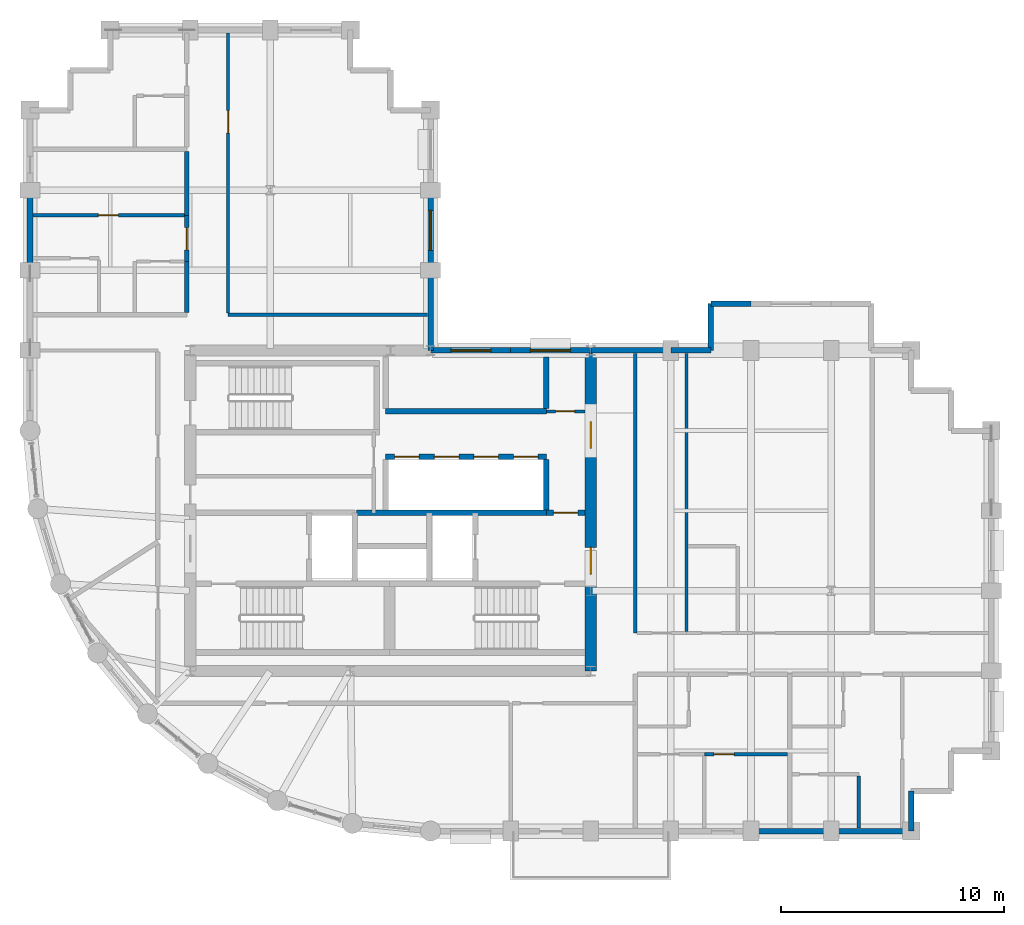
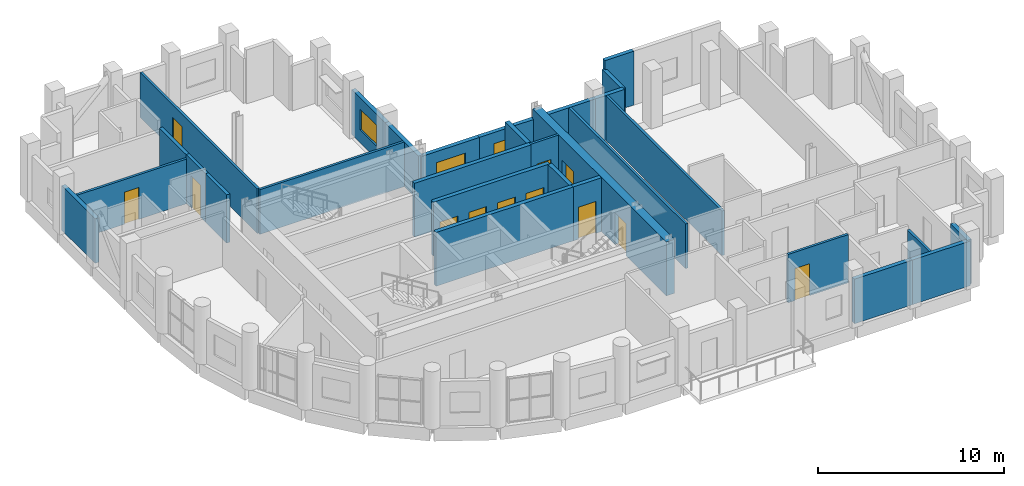
# One storey, part 8 of 12: 30 walls, 12 doors, 3 windows, 15 openings.
"""IFC4 building model written with IfcOpenShell, lengths in metres."""

from ifc_helpers import new_model, si_unit, direction, frame, frame_2d, origin, place, context, subcontext, project, spatial, rectangle, extrude, material, layer, layer_set, type_object, element, fill, save


model = new_model("IFC4")

# Units and contexts
model_context = context("Model", 3, precision=1e-05, world=origin(), true_north=direction((0.0, 1.0)))
body_context = subcontext(model_context, "Body", "Model", "MODEL_VIEW")
ifc_project = project(units=[si_unit("LENGTHUNIT", "METRE"), si_unit("AREAUNIT", "SQUARE_METRE"), si_unit("VOLUMEUNIT", "CUBIC_METRE"), si_unit("PLANEANGLEUNIT", "RADIAN"), si_unit("MASSUNIT", "GRAM", prefix="KILO")], contexts=[model_context])

# Site, building, storey
site_placement = place(None, origin())
site = spatial("IfcSite", under=ifc_project, at=site_placement, CompositionType="ELEMENT")
building_placement = place(site_placement, origin())
building = spatial("IfcBuilding", under=site, at=building_placement, Name="Solnavia Interchange Tower", CompositionType="ELEMENT")
storey_placement = place(building_placement, frame((0.0, 0.0, 182.39990234375)))
storey = spatial("IfcBuildingStorey", under=building, at=storey_placement, Name="L45", CompositionType="ELEMENT", Elevation=182.39990234375)

# Wall
ifc_material_1 = material(Name="Gypsum Acoustic Twin-Stud & Mineral Wool", Category="gypsum")
ifc_layer_1 = layer(ifc_material_1, 0.199951171875)
ifc_layer_set_1 = layer_set([ifc_layer_1], Name="Gypsum Acoustic Twin-Stud & Mineral Wool")
wall_type_1 = type_object("IfcWallType", Name="Wall-ApartmentParty-200", PredefinedType="PARTITIONING", material=ifc_layer_set_1)
wall_1_placement = place(storey_placement, frame((14.25, 26.904052734375, 0.0), z_axis=(0.0, 0.0, 1.0), x_axis=(0.0, 1.0, 0.0)))
element("IfcWall", 1, at=wall_1_placement, inside=storey, type_object=wall_type_1, Name="PTW-L45-37 Interior partition wall", PredefinedType="PARTITIONING", context=body_context, shape_type="SweptSolid", body=[
    extrude(rectangle(XDim=2.2958984375, YDim=0.199951171875, at=frame_2d((1.14794921875, 0.0))), origin(), (0.0, 0.0, 1.0), 3.170166015625),
])

# Wall, opening, door
wall_2_placement = place(storey_placement, frame((14.25, 29.199951171875, 0.0), z_axis=(0.0, 0.0, 1.0), x_axis=(0.0, 1.0, 0.0)))
wall_2 = element("IfcWall", 2, at=wall_2_placement, inside=storey, type_object=wall_type_1, Name="PTW-L45-40 Interior partition wall", PredefinedType="PARTITIONING", context=body_context, shape_type="SweptSolid", body=[
    extrude(rectangle(XDim=2.070068359375, YDim=0.199951171875, at=frame_2d((1.03515625, 0.0))), origin(), (0.0, 0.0, 1.0), 3.170166015625),
])
opening_1_placement = place(wall_2_placement, frame((0.52197265625, 0.0, 0.0)))
opening_1 = element("IfcOpeningElement", 3, at=opening_1_placement, cuts=wall_2, Name="Opening DR-06", PredefinedType="OPENING", context=body_context, shape_type="SweptSolid", body=[
    extrude(rectangle(XDim=1.0, YDim=2.10009765625, at=frame_2d((0.5, 1.050048828125))), frame((0.0, 0.10986328125, 0.0), z_axis=(0.0, -1.0, 0.0), x_axis=(1.0, 0.0, 0.0)), (0.0, 0.0, 1.0), 0.219970703125),
])
ifc_material_2 = material(Name="Engineered Timber Acoustic Fire Door", Category="wood")
door_type_1 = type_object("IfcDoorType", Name="Door-FlatEntry-1000x2100", OperationType="SINGLE_SWING_LEFT", PredefinedType="DOOR", material=ifc_material_2)
door_1_placement = place(opening_1_placement, origin())
door_1 = element("IfcDoor", 4, at=door_1_placement, inside=storey, type_object=door_type_1, Name="DR-L45-18 Interior room door", OperationType="SINGLE_SWING_RIGHT", OverallHeight=2.10009765625, OverallWidth=1.0, PredefinedType="DOOR", context=body_context, shape_type="SweptSolid", body=[
    extrude(rectangle(XDim=1.0, YDim=2.10009765625, at=frame_2d((0.5, 1.050048828125))), frame((0.0, 0.02490234375, 0.0), z_axis=(0.0, -1.0, 0.0), x_axis=(1.0, 0.0, 0.0)), (0.0, 0.0, 1.0), 0.050048828125),
])
fill(opening_1, door_1)

# Walls
wall_3_placement = place(storey_placement, frame((14.25, 31.27001953125, 0.0), z_axis=(0.0, 0.0, 1.0), x_axis=(0.0, 1.0, 0.0)))
element("IfcWall", 5, at=wall_3_placement, inside=storey, type_object=wall_type_1, Name="PTW-L45-41 Interior partition wall", PredefinedType="PARTITIONING", context=body_context, shape_type="SweptSolid", body=[
    extrude(rectangle(XDim=2.8759765625, YDim=0.199951171875, at=frame_2d((1.43798828125, 0.0))), origin(), (0.0, 0.0, 1.0), 3.170166015625),
])
ifc_material_3 = material(Name="Concrete C40/50", Category="concrete")
ifc_layer_2 = layer(ifc_material_3, 0.25)
ifc_layer_set_2 = layer_set([ifc_layer_2], Name="Concrete C40/50")
wall_type_2 = type_object("IfcWallType", Name="Wall-ExtSpandrel-250", PredefinedType="STANDARD", material=ifc_layer_set_2)
wall_4_placement = place(storey_placement, frame((43.199951171875, 3.60009765625, 0.0), z_axis=(0.0, 0.0, 1.0), x_axis=(-1.0, 0.0, 0.0)))
element("IfcWall", 6, at=wall_4_placement, inside=storey, type_object=wall_type_2, Name="EXW-L45-05 Exterior precast spandrel wall", PredefinedType="STANDARD", context=body_context, shape_type="SweptSolid", body=[
    extrude(rectangle(XDim=3.599853515625, YDim=0.25, at=frame_2d((1.7998046875, 0.0))), origin(), (0.0, 0.0, 1.0), 2.93017578125),
])
wall_5_placement = place(storey_placement, frame((46.800048828125, 3.60009765625, 0.0), z_axis=(0.0, 0.0, 1.0), x_axis=(-1.0, 0.0, 0.0)))
element("IfcWall", 7, at=wall_5_placement, inside=storey, type_object=wall_type_2, Name="EXW-L45-06 Exterior precast spandrel wall", PredefinedType="STANDARD", context=body_context, shape_type="SweptSolid", body=[
    extrude(rectangle(XDim=3.60009765625, YDim=0.25, at=frame_2d((1.800048828125, 0.0))), origin(), (0.0, 0.0, 1.0), 2.93017578125),
])
wall_6_placement = place(storey_placement, frame((46.800048828125, 5.39990234375, 0.0), z_axis=(0.0, 0.0, 1.0), x_axis=(0.0, -1.0, 0.0)))
element("IfcWall", 8, at=wall_6_placement, inside=storey, type_object=wall_type_2, Name="EXW-L45-07 Exterior precast spandrel wall", PredefinedType="STANDARD", context=body_context, shape_type="SweptSolid", body=[
    extrude(rectangle(XDim=1.7998046875, YDim=0.25, at=frame_2d((0.89990234375, 0.0))), origin(), (0.0, 0.0, 1.0), 2.93017578125),
])
wall_7_placement = place(storey_placement, frame((37.800048828125, 27.300048828125, 0.0), z_axis=(0.0, 0.0, 1.0), x_axis=(1.0, 0.0, 0.0)))
element("IfcWall", 9, at=wall_7_placement, inside=storey, type_object=wall_type_2, Name="EXW-L45-23 Exterior precast spandrel wall", PredefinedType="STANDARD", context=body_context, shape_type="SweptSolid", body=[
    extrude(rectangle(XDim=1.800048828125, YDim=0.25, at=frame_2d((0.89990234375, 0.0))), origin(), (0.0, 0.0, 1.0), 3.53515625),
])
wall_8_placement = place(storey_placement, frame((37.800048828125, 27.300048828125, 0.0), z_axis=(0.0, 0.0, 1.0), x_axis=(0.0, -1.0, 0.0)))
element("IfcWall", 10, at=wall_8_placement, inside=storey, type_object=wall_type_2, Name="EXW-L45-24 Exterior precast spandrel wall", PredefinedType="STANDARD", context=body_context, shape_type="SweptSolid", body=[
    extrude(rectangle(XDim=2.10009765625, YDim=0.25, at=frame_2d((1.050048828125, 0.0))), origin(), (0.0, 0.0, 1.0), 2.93017578125),
])
wall_9_placement = place(storey_placement, frame((36.0, 25.199951171875, 0.0), z_axis=(0.0, 0.0, 1.0), x_axis=(1.0, 0.0, 0.0)))
element("IfcWall", 11, at=wall_9_placement, inside=storey, type_object=wall_type_2, Name="EXW-L45-25 Exterior precast spandrel wall", PredefinedType="STANDARD", context=body_context, shape_type="SweptSolid", body=[
    extrude(rectangle(XDim=1.800048828125, YDim=0.25, at=frame_2d((0.89990234375, 0.0))), origin(), (0.0, 0.0, 1.0), 2.93017578125),
])
wall_10_placement = place(storey_placement, frame((32.39990234375, 25.199951171875, 0.0), z_axis=(0.0, 0.0, 1.0), x_axis=(1.0, 0.0, 0.0)))
element("IfcWall", 12, at=wall_10_placement, inside=storey, type_object=wall_type_2, Name="EXW-L45-26 Exterior precast spandrel wall", PredefinedType="STANDARD", context=body_context, shape_type="SweptSolid", body=[
    extrude(rectangle(XDim=3.60009765625, YDim=0.25, at=frame_2d((1.800048828125, 0.0))), origin(), (0.0, 0.0, 1.0), 2.93017578125),
])

# Wall, opening, window
wall_11_placement = place(storey_placement, frame((28.800048828125, 25.199951171875, 0.0), z_axis=(0.0, 0.0, 1.0), x_axis=(1.0, 0.0, 0.0)))
wall_11 = element("IfcWall", 13, at=wall_11_placement, inside=storey, type_object=wall_type_2, Name="EXW-L45-27 Exterior precast spandrel wall", PredefinedType="STANDARD", context=body_context, shape_type="SweptSolid", body=[
    extrude(rectangle(XDim=3.599853515625, YDim=0.25, at=frame_2d((1.7998046875, 0.0))), origin(), (0.0, 0.0, 1.0), 2.93017578125),
])
opening_2_placement = place(wall_11_placement, frame((0.884033203125, 0.0, 0.85009765625)))
opening_2 = element("IfcOpeningElement", 14, at=opening_2_placement, cuts=wall_11, Name="Opening WIN-02", PredefinedType="OPENING", context=body_context, shape_type="SweptSolid", body=[
    extrude(rectangle(XDim=1.800048828125, YDim=1.35009765625, at=frame_2d((0.89990234375, 0.675048828125))), frame((0.0, 0.135009765625, 0.0), z_axis=(0.0, -1.0, 0.0), x_axis=(1.0, 0.0, 0.0)), (0.0, 0.0, 1.0), 0.27001953125),
])
ifc_material_4 = material(Name="Thermal-Break Aluminium & Low-E Glass", Category="aluminium")
window_type = type_object("IfcWindowType", Name="Window-Ribbon-1800x1350", PartitioningType="SINGLE_PANEL", PredefinedType="WINDOW", material=ifc_material_4)
window_1_placement = place(opening_2_placement, origin())
window_1 = element("IfcWindow", 15, at=window_1_placement, inside=storey, type_object=window_type, Name="WIN-L45-27 Facade ribbon window", OverallHeight=1.35009765625, OverallWidth=1.800048828125, PartitioningType="SINGLE_PANEL", PredefinedType="WINDOW", context=body_context, shape_type="SweptSolid", body=[
    extrude(rectangle(XDim=1.800048828125, YDim=1.35009765625, at=frame_2d((0.89990234375, 0.675048828125))), frame((0.0, 0.030029296875, 0.0), z_axis=(0.0, -1.0, 0.0), x_axis=(1.0, 0.0, 0.0)), (0.0, 0.0, 1.0), 0.06005859375),
])
fill(opening_2, window_1)

wall_12_placement = place(storey_placement, frame((25.199951171875, 25.199951171875, 0.0), z_axis=(0.0, 0.0, 1.0), x_axis=(1.0, 0.0, 0.0)))
wall_12 = element("IfcWall", 16, at=wall_12_placement, inside=storey, type_object=wall_type_2, Name="EXW-L45-28 Exterior precast spandrel wall", PredefinedType="STANDARD", context=body_context, shape_type="SweptSolid", body=[
    extrude(rectangle(XDim=3.60009765625, YDim=0.25, at=frame_2d((1.800048828125, 0.0))), origin(), (0.0, 0.0, 1.0), 2.93017578125),
])
opening_3_placement = place(wall_12_placement, frame((0.916015625, 0.0, 0.85009765625)))
opening_3 = element("IfcOpeningElement", 17, at=opening_3_placement, cuts=wall_12, Name="Opening WIN-02", PredefinedType="OPENING", context=body_context, shape_type="SweptSolid", body=[
    extrude(rectangle(XDim=1.800048828125, YDim=1.35009765625, at=frame_2d((0.89990234375, 0.675048828125))), frame((0.0, 0.135009765625, 0.0), z_axis=(0.0, -1.0, 0.0), x_axis=(1.0, 0.0, 0.0)), (0.0, 0.0, 1.0), 0.27001953125),
])
window_2_placement = place(opening_3_placement, origin())
window_2 = element("IfcWindow", 18, at=window_2_placement, inside=storey, type_object=window_type, Name="WIN-L45-28 Facade ribbon window", OverallHeight=1.35009765625, OverallWidth=1.800048828125, PartitioningType="SINGLE_PANEL", PredefinedType="WINDOW", context=body_context, shape_type="SweptSolid", body=[
    extrude(rectangle(XDim=1.800048828125, YDim=1.35009765625, at=frame_2d((0.89990234375, 0.675048828125))), frame((0.0, 0.030029296875, 0.0), z_axis=(0.0, -1.0, 0.0), x_axis=(1.0, 0.0, 0.0)), (0.0, 0.0, 1.0), 0.06005859375),
])
fill(opening_3, window_2)

# Wall
wall_13_placement = place(storey_placement, frame((25.199951171875, 25.199951171875, 0.0), z_axis=(0.0, 0.0, 1.0), x_axis=(0.0, 1.0, 0.0)))
element("IfcWall", 19, at=wall_13_placement, inside=storey, type_object=wall_type_2, Name="EXW-L45-29 Exterior precast spandrel wall", PredefinedType="STANDARD", context=body_context, shape_type="SweptSolid", body=[
    extrude(rectangle(XDim=3.60009765625, YDim=0.25, at=frame_2d((1.800048828125, 0.0))), origin(), (0.0, 0.0, 1.0), 2.93017578125),
])

# Wall, opening, window
wall_14_placement = place(storey_placement, frame((25.199951171875, 28.800048828125, 0.0), z_axis=(0.0, 0.0, 1.0), x_axis=(0.0, 1.0, 0.0)))
wall_14 = element("IfcWall", 20, at=wall_14_placement, inside=storey, type_object=wall_type_2, Name="EXW-L45-30 Exterior precast spandrel wall", PredefinedType="STANDARD", context=body_context, shape_type="SweptSolid", body=[
    extrude(rectangle(XDim=3.599853515625, YDim=0.25, at=frame_2d((1.7998046875, 0.0))), origin(), (0.0, 0.0, 1.0), 2.93017578125),
])
opening_4_placement = place(wall_14_placement, frame((0.89990234375, 0.0, 0.85009765625)))
opening_4 = element("IfcOpeningElement", 21, at=opening_4_placement, cuts=wall_14, Name="Opening WIN-02", PredefinedType="OPENING", context=body_context, shape_type="SweptSolid", body=[
    extrude(rectangle(XDim=1.800048828125, YDim=1.35009765625, at=frame_2d((0.89990234375, 0.675048828125))), frame((0.0, 0.135009765625, 0.0), z_axis=(0.0, -1.0, 0.0), x_axis=(1.0, 0.0, 0.0)), (0.0, 0.0, 1.0), 0.27001953125),
])
window_3_placement = place(opening_4_placement, origin())
window_3 = element("IfcWindow", 22, at=window_3_placement, inside=storey, type_object=window_type, Name="WIN-L45-30 Facade ribbon window", OverallHeight=1.35009765625, OverallWidth=1.800048828125, PartitioningType="SINGLE_PANEL", PredefinedType="WINDOW", context=body_context, shape_type="SweptSolid", body=[
    extrude(rectangle(XDim=1.800048828125, YDim=1.35009765625, at=frame_2d((0.89990234375, 0.675048828125))), frame((0.0, 0.030029296875, 0.0), z_axis=(0.0, -1.0, 0.0), x_axis=(1.0, 0.0, 0.0)), (0.0, 0.0, 1.0), 0.06005859375),
])
fill(opening_4, window_3)

# Wall
wall_15_placement = place(storey_placement, frame((7.199951171875, 28.800048828125, 0.0), z_axis=(0.0, 0.0, 1.0), x_axis=(0.0, 1.0, 0.0)))
element("IfcWall", 23, at=wall_15_placement, inside=storey, type_object=wall_type_2, Name="EXW-L45-44 Exterior precast spandrel wall", PredefinedType="STANDARD", context=body_context, shape_type="SweptSolid", body=[
    extrude(rectangle(XDim=3.599853515625, YDim=0.25, at=frame_2d((1.7998046875, 0.0))), origin(), (0.0, 0.0, 1.0), 2.93017578125),
])

# Wall, opening, door
ifc_material_5 = material(Name="Gypsum Plasterboard & Steel Stud", Category="steel")
ifc_layer_3 = layer(ifc_material_5, 0.14990234375)
ifc_layer_set_3 = layer_set([ifc_layer_3], Name="Gypsum Plasterboard & Steel Stud")
wall_type_3 = type_object("IfcWallType", Name="Wall-Partition-150", PredefinedType="PARTITIONING", material=ifc_layer_set_3)
wall_16_placement = place(storey_placement, frame((30.39990234375, 22.4599609375, 0.0), z_axis=(0.0, 0.0, 1.0), x_axis=(1.0, 0.0, 0.0)))
wall_16 = element("IfcWall", 24, at=wall_16_placement, inside=storey, type_object=wall_type_3, Name="CSW-L45-NE-S Core shaft wall", PredefinedType="PARTITIONING", context=body_context, shape_type="SweptSolid", body=[
    extrude(rectangle(XDim=1.75, YDim=0.14990234375, at=frame_2d((0.875, 0.0))), origin(), (0.0, 0.0, 1.0), 3.53515625),
])
opening_5_placement = place(wall_16_placement, frame((0.419921875, 0.0, 0.0)))
opening_5 = element("IfcOpeningElement", 25, at=opening_5_placement, cuts=wall_16, Name="Opening DR-10", PredefinedType="OPENING", context=body_context, shape_type="SweptSolid", body=[
    extrude(rectangle(XDim=0.85009765625, YDim=2.10009765625, at=frame_2d((0.425048828125, 1.050048828125))), frame((0.0, 0.0849609375, 0.0), z_axis=(0.0, -1.0, 0.0), x_axis=(1.0, 0.0, 0.0)), (0.0, 0.0, 1.0), 0.169921875),
])
ifc_material_6 = material(Name="Moisture-Resistant Timber Door", Category="wood")
door_type_2 = type_object("IfcDoorType", Name="Door-Bathroom-850x2100", OperationType="SINGLE_SWING_RIGHT", PredefinedType="DOOR", material=ifc_material_6)
door_2_placement = place(opening_5_placement, origin())
door_2 = element("IfcDoor", 26, at=door_2_placement, inside=storey, type_object=door_type_2, Name="DR-L45-CS3 Core fire door", OperationType="SINGLE_SWING_RIGHT", OverallHeight=2.10009765625, OverallWidth=0.85009765625, PredefinedType="DOOR", context=body_context, shape_type="SweptSolid", body=[
    extrude(rectangle(XDim=0.85009765625, YDim=2.10009765625, at=frame_2d((0.425048828125, 1.050048828125))), frame((0.0, 0.02490234375, 0.0), z_axis=(0.0, -1.0, 0.0), x_axis=(1.0, 0.0, 0.0)), (0.0, 0.0, 1.0), 0.050048828125),
])
fill(opening_5, door_2)

wall_17_placement = place(storey_placement, frame((37.5, 7.050048828125, 0.0), z_axis=(0.0, 0.0, 1.0), x_axis=(1.0, 0.0, 0.0)))
wall_17 = element("IfcWall", 27, at=wall_17_placement, inside=storey, type_object=wall_type_3, Name="PTW-L45-21 Interior partition wall", PredefinedType="PARTITIONING", context=body_context, shape_type="SweptSolid", body=[
    extrude(rectangle(XDim=3.74609375, YDim=0.14990234375, at=frame_2d((1.873046875, 0.0))), origin(), (0.0, 0.0, 1.0), 3.170166015625),
])
opening_6_placement = place(wall_17_placement, frame((0.43994140625, 0.0, 0.0)))
opening_6 = element("IfcOpeningElement", 28, at=opening_6_placement, cuts=wall_17, Name="Opening DR-09", PredefinedType="OPENING", context=body_context, shape_type="SweptSolid", body=[
    extrude(rectangle(XDim=0.89990234375, YDim=2.10009765625, at=frame_2d((0.449951171875, 1.050048828125))), frame((0.0, 0.0849609375, 0.0), z_axis=(0.0, -1.0, 0.0), x_axis=(1.0, 0.0, 0.0)), (0.0, 0.0, 1.0), 0.169921875),
])
ifc_material_7 = material(Name="Engineered Oak Veneer Door", Category="wood")
door_type_3 = type_object("IfcDoorType", Name="Door-Internal-900x2100", OperationType="SINGLE_SWING_LEFT", PredefinedType="DOOR", material=ifc_material_7)
door_3_placement = place(opening_6_placement, origin())
door_3 = element("IfcDoor", 29, at=door_3_placement, inside=storey, type_object=door_type_3, Name="DR-L45-09 Interior room door", OperationType="SINGLE_SWING_RIGHT", OverallHeight=2.10009765625, OverallWidth=0.89990234375, PredefinedType="DOOR", context=body_context, shape_type="SweptSolid", body=[
    extrude(rectangle(XDim=0.89990234375, YDim=2.10009765625, at=frame_2d((0.449951171875, 1.050048828125))), frame((0.0, 0.02490234375, 0.0), z_axis=(0.0, -1.0, 0.0), x_axis=(1.0, 0.0, 0.0)), (0.0, 0.0, 1.0), 0.050048828125),
])
fill(opening_6, door_3)

wall_18_placement = place(storey_placement, frame((7.3291015625, 31.27001953125, 0.0), z_axis=(0.0, 0.0, 1.0), x_axis=(1.0, 0.0, 0.0)))
wall_18 = element("IfcWall", 30, at=wall_18_placement, inside=storey, type_object=wall_type_3, Name="PTW-L45-42 Interior partition wall", PredefinedType="PARTITIONING", context=body_context, shape_type="SweptSolid", body=[
    extrude(rectangle(XDim=6.81689453125, YDim=0.14990234375, at=frame_2d((3.408447265625, 0.0))), origin(), (0.0, 0.0, 1.0), 2.93017578125),
])
opening_7_placement = place(wall_18_placement, frame((2.946044921875, 0.0, 0.0)))
opening_7 = element("IfcOpeningElement", 31, at=opening_7_placement, cuts=wall_18, Name="Opening DR-09", PredefinedType="OPENING", context=body_context, shape_type="SweptSolid", body=[
    extrude(rectangle(XDim=0.89990234375, YDim=2.10009765625, at=frame_2d((0.449951171875, 1.050048828125))), frame((0.0, 0.0849609375, 0.0), z_axis=(0.0, -1.0, 0.0), x_axis=(1.0, 0.0, 0.0)), (0.0, 0.0, 1.0), 0.169921875),
])
door_4_placement = place(opening_7_placement, origin())
door_4 = element("IfcDoor", 32, at=door_4_placement, inside=storey, type_object=door_type_3, Name="DR-L45-19 Interior room door", OperationType="SINGLE_SWING_LEFT", OverallHeight=2.10009765625, OverallWidth=0.89990234375, PredefinedType="DOOR", context=body_context, shape_type="SweptSolid", body=[
    extrude(rectangle(XDim=0.89990234375, YDim=2.10009765625, at=frame_2d((0.449951171875, 1.050048828125))), frame((0.0, 0.02490234375, 0.0), z_axis=(0.0, -1.0, 0.0), x_axis=(1.0, 0.0, 0.0)), (0.0, 0.0, 1.0), 0.050048828125),
])
fill(opening_7, door_4)

# Wall
wall_19_placement = place(storey_placement, frame((16.10009765625, 26.800048828125, 0.0), z_axis=(0.0, 0.0, 1.0), x_axis=(1.0, 0.0, 0.0)))
element("IfcWall", 33, at=wall_19_placement, inside=storey, type_object=wall_type_3, Name="PTW-L45-49 Interior partition wall", PredefinedType="PARTITIONING", context=body_context, shape_type="SweptSolid", body=[
    extrude(rectangle(XDim=8.970947265625, YDim=0.14990234375, at=frame_2d((4.4853515625, 0.0))), origin(), (0.0, 0.0, 1.0), 2.93017578125),
])

# Wall, opening, door
wall_20_placement = place(storey_placement, frame((16.10009765625, 26.87890625, 0.0), z_axis=(0.0, 0.0, 1.0), x_axis=(0.0, 1.0, 0.0)))
wall_20 = element("IfcWall", 34, at=wall_20_placement, inside=storey, type_object=wall_type_3, Name="PTW-L45-50 Interior partition wall", PredefinedType="PARTITIONING", context=body_context, shape_type="SweptSolid", body=[
    extrude(rectangle(XDim=12.592041015625, YDim=0.14990234375, at=frame_2d((6.2958984375, 0.0))), origin(), (0.0, 0.0, 1.0), 2.93017578125),
])
opening_8_placement = place(wall_20_placement, frame((8.093017578125, 0.0, 0.0)))
opening_8 = element("IfcOpeningElement", 35, at=opening_8_placement, cuts=wall_20, Name="Opening DR-07", PredefinedType="OPENING", context=body_context, shape_type="SweptSolid", body=[
    extrude(rectangle(XDim=1.0, YDim=2.10009765625, at=frame_2d((0.5, 1.050048828125))), frame((0.0, 0.0849609375, 0.0), z_axis=(0.0, -1.0, 0.0), x_axis=(1.0, 0.0, 0.0)), (0.0, 0.0, 1.0), 0.169921875),
])
ifc_material_8 = material(Name="Timber & Acoustic Glazed Office Door", Category="wood")
door_type_4 = type_object("IfcDoorType", Name="Door-Office-1000x2100", OperationType="SINGLE_SWING_RIGHT", PredefinedType="DOOR", material=ifc_material_8)
door_5_placement = place(opening_8_placement, origin())
door_5 = element("IfcDoor", 36, at=door_5_placement, inside=storey, type_object=door_type_4, Name="DR-L45-23 Interior room door", OperationType="SINGLE_SWING_LEFT", OverallHeight=2.10009765625, OverallWidth=1.0, PredefinedType="DOOR", context=body_context, shape_type="SweptSolid", body=[
    extrude(rectangle(XDim=1.0, YDim=2.10009765625, at=frame_2d((0.5, 1.050048828125))), frame((0.0, 0.02490234375, 0.0), z_axis=(0.0, -1.0, 0.0), x_axis=(1.0, 0.0, 0.0)), (0.0, 0.0, 1.0), 0.050048828125),
])
fill(opening_8, door_5)

# Wall
ifc_layer_4 = layer(ifc_material_3, 0.25)
ifc_layer_set_4 = layer_set([ifc_layer_4], Name="Concrete C40/50")
wall_type_4 = type_object("IfcWallType", Name="Wall-ShaftPart-250", PredefinedType="PARTITIONING", material=ifc_layer_set_4)
wall_21_placement = place(storey_placement, frame((21.8798828125, 17.89990234375, 0.0), z_axis=(0.0, 0.0, 1.0), x_axis=(1.0, 0.0, 0.0)))
element("IfcWall", 37, at=wall_21_placement, inside=storey, type_object=wall_type_4, Name="SHW-L45-FFLE-N1 Core shaft wall", PredefinedType="PARTITIONING", context=body_context, shape_type="SweptSolid", body=[
    extrude(rectangle(XDim=8.52001953125, YDim=0.25, at=frame_2d((4.260009765625, 0.0))), origin(), (0.0, 0.0, 1.0), 3.53515625),
])

# Wall, opening, door
wall_22_placement = place(storey_placement, frame((30.39990234375, 17.89990234375, 0.0), z_axis=(0.0, 0.0, 1.0), x_axis=(1.0, 0.0, 0.0)))
wall_22 = element("IfcWall", 38, at=wall_22_placement, inside=storey, type_object=wall_type_4, Name="SHW-L45-FFLE-N2 Core shaft wall", PredefinedType="PARTITIONING", context=body_context, shape_type="SweptSolid", body=[
    extrude(rectangle(XDim=1.75, YDim=0.25, at=frame_2d((0.875, 0.0))), origin(), (0.0, 0.0, 1.0), 3.53515625),
])
opening_9_placement = place(wall_22_placement, frame((0.320068359375, 0.0, 0.0)))
opening_9 = element("IfcOpeningElement", 39, at=opening_9_placement, cuts=wall_22, Name="Opening DR-01", PredefinedType="OPENING", context=body_context, shape_type="SweptSolid", body=[
    extrude(rectangle(XDim=1.10009765625, YDim=2.10009765625, at=frame_2d((0.550048828125, 1.050048828125))), frame((0.0, 0.135009765625, 0.0), z_axis=(0.0, -1.0, 0.0), x_axis=(1.0, 0.0, 0.0)), (0.0, 0.0, 1.0), 0.27001953125),
])
ifc_material_9 = material(Name="Steel Fire-Rated Leaf & Frame", Category="steel")
door_type_5 = type_object("IfcDoorType", Name="Door-StairFire-1100x2100", OperationType="SINGLE_SWING_LEFT", PredefinedType="DOOR", material=ifc_material_9)
door_6_placement = place(opening_9_placement, origin())
door_6 = element("IfcDoor", 40, at=door_6_placement, inside=storey, type_object=door_type_5, Name="DR-L45-LLC Core fire door", OperationType="SINGLE_SWING_LEFT", OverallHeight=2.10009765625, OverallWidth=1.10009765625, PredefinedType="DOOR", context=body_context, shape_type="SweptSolid", body=[
    extrude(rectangle(XDim=1.10009765625, YDim=2.10009765625, at=frame_2d((0.550048828125, 1.050048828125))), frame((0.0, 0.02490234375, 0.0), z_axis=(0.0, -1.0, 0.0), x_axis=(1.0, 0.0, 0.0)), (0.0, 0.0, 1.0), 0.050048828125),
])
fill(opening_9, door_6)

# Wall, openings, doors
wall_23_placement = place(storey_placement, frame((23.179931640625, 20.419921875, 0.0), z_axis=(0.0, 0.0, 1.0), x_axis=(1.0, 0.0, 0.0)))
wall_23 = element("IfcWall", 41, at=wall_23_placement, inside=storey, type_object=wall_type_4, Name="SHW-L45-B2N Core shaft wall", PredefinedType="PARTITIONING", context=body_context, shape_type="SweptSolid", body=[
    extrude(rectangle(XDim=7.219970703125, YDim=0.25, at=frame_2d((3.60986328125, 0.0))), origin(), (0.0, 0.0, 1.0), 3.53515625),
])
opening_10_placement = place(wall_23_placement, frame((0.409912109375, 0.0, 0.0)))
opening_10 = element("IfcOpeningElement", 42, at=opening_10_placement, cuts=wall_23, Name="Opening LD-01", PredefinedType="OPENING", context=body_context, shape_type="SweptSolid", body=[
    extrude(rectangle(XDim=1.10009765625, YDim=2.10009765625, at=frame_2d((0.550048828125, 1.050048828125))), frame((0.0, 0.135009765625, 0.0), z_axis=(0.0, -1.0, 0.0), x_axis=(1.0, 0.0, 0.0)), (0.0, 0.0, 1.0), 0.27001953125),
])
opening_11_placement = place(wall_23_placement, frame((2.18994140625, 0.0, 0.0)))
opening_11 = element("IfcOpeningElement", 43, at=opening_11_placement, cuts=wall_23, Name="Opening LD-01", PredefinedType="OPENING", context=body_context, shape_type="SweptSolid", body=[
    extrude(rectangle(XDim=1.10009765625, YDim=2.10009765625, at=frame_2d((0.550048828125, 1.050048828125))), frame((0.0, 0.135009765625, 0.0), z_axis=(0.0, -1.0, 0.0), x_axis=(1.0, 0.0, 0.0)), (0.0, 0.0, 1.0), 0.27001953125),
])
opening_12_placement = place(wall_23_placement, frame((3.969970703125, 0.0, 0.0)))
opening_12 = element("IfcOpeningElement", 44, at=opening_12_placement, cuts=wall_23, Name="Opening LD-01", PredefinedType="OPENING", context=body_context, shape_type="SweptSolid", body=[
    extrude(rectangle(XDim=1.10009765625, YDim=2.10009765625, at=frame_2d((0.550048828125, 1.050048828125))), frame((0.0, 0.135009765625, 0.0), z_axis=(0.0, -1.0, 0.0), x_axis=(1.0, 0.0, 0.0)), (0.0, 0.0, 1.0), 0.27001953125),
])
opening_13_placement = place(wall_23_placement, frame((5.75, 0.0, 0.0)))
opening_13 = element("IfcOpeningElement", 45, at=opening_13_placement, cuts=wall_23, Name="Opening LD-01", PredefinedType="OPENING", context=body_context, shape_type="SweptSolid", body=[
    extrude(rectangle(XDim=1.10009765625, YDim=2.10009765625, at=frame_2d((0.550048828125, 1.050048828125))), frame((0.0, 0.135009765625, 0.0), z_axis=(0.0, -1.0, 0.0), x_axis=(1.0, 0.0, 0.0)), (0.0, 0.0, 1.0), 0.27001953125),
])
ifc_material_10 = material(Name="Brushed Stainless Steel Sliding Door", Category="steel")
door_type_6 = type_object("IfcDoorType", Name="Door-LiftLanding-1100x2100", OperationType="SLIDING_TO_LEFT", PredefinedType="DOOR", material=ifc_material_10)
door_7_placement = place(opening_10_placement, origin())
door_7 = element("IfcDoor", 46, at=door_7_placement, inside=storey, type_object=door_type_6, Name="LD-L45-B2-1 Lift landing sliding door", OperationType="SLIDING_TO_LEFT", OverallHeight=2.10009765625, OverallWidth=1.10009765625, PredefinedType="DOOR", context=body_context, shape_type="SweptSolid", body=[
    extrude(rectangle(XDim=1.10009765625, YDim=2.10009765625, at=frame_2d((0.550048828125, 1.050048828125))), frame((0.0, 0.02490234375, 0.0), z_axis=(0.0, -1.0, 0.0), x_axis=(1.0, 0.0, 0.0)), (0.0, 0.0, 1.0), 0.050048828125),
])
fill(opening_10, door_7)
door_8_placement = place(opening_11_placement, origin())
door_8 = element("IfcDoor", 47, at=door_8_placement, inside=storey, type_object=door_type_6, Name="LD-L45-B2-2 Lift landing sliding door", OperationType="SLIDING_TO_LEFT", OverallHeight=2.10009765625, OverallWidth=1.10009765625, PredefinedType="DOOR", context=body_context, shape_type="SweptSolid", body=[
    extrude(rectangle(XDim=1.10009765625, YDim=2.10009765625, at=frame_2d((0.550048828125, 1.050048828125))), frame((0.0, 0.02490234375, 0.0), z_axis=(0.0, -1.0, 0.0), x_axis=(1.0, 0.0, 0.0)), (0.0, 0.0, 1.0), 0.050048828125),
])
fill(opening_11, door_8)
door_9_placement = place(opening_12_placement, origin())
door_9 = element("IfcDoor", 48, at=door_9_placement, inside=storey, type_object=door_type_6, Name="LD-L45-B2-3 Lift landing sliding door", OperationType="SLIDING_TO_LEFT", OverallHeight=2.10009765625, OverallWidth=1.10009765625, PredefinedType="DOOR", context=body_context, shape_type="SweptSolid", body=[
    extrude(rectangle(XDim=1.10009765625, YDim=2.10009765625, at=frame_2d((0.550048828125, 1.050048828125))), frame((0.0, 0.02490234375, 0.0), z_axis=(0.0, -1.0, 0.0), x_axis=(1.0, 0.0, 0.0)), (0.0, 0.0, 1.0), 0.050048828125),
])
fill(opening_12, door_9)
door_10_placement = place(opening_13_placement, origin())
door_10 = element("IfcDoor", 49, at=door_10_placement, inside=storey, type_object=door_type_6, Name="LD-L45-B2-4 Lift landing sliding door", OperationType="SLIDING_TO_LEFT", OverallHeight=2.10009765625, OverallWidth=1.10009765625, PredefinedType="DOOR", context=body_context, shape_type="SweptSolid", body=[
    extrude(rectangle(XDim=1.10009765625, YDim=2.10009765625, at=frame_2d((0.550048828125, 1.050048828125))), frame((0.0, 0.02490234375, 0.0), z_axis=(0.0, -1.0, 0.0), x_axis=(1.0, 0.0, 0.0)), (0.0, 0.0, 1.0), 0.050048828125),
])
fill(opening_13, door_10)

# Walls
wall_24_placement = place(storey_placement, frame((30.39990234375, 18.02490234375, 0.0), z_axis=(0.0, 0.0, 1.0), x_axis=(0.0, 1.0, 0.0)))
element("IfcWall", 50, at=wall_24_placement, inside=storey, type_object=wall_type_4, Name="SHW-L45-B2E Core shaft wall", PredefinedType="PARTITIONING", context=body_context, shape_type="SweptSolid", body=[
    extrude(rectangle(XDim=2.27001953125, YDim=0.25, at=frame_2d((1.135009765625, 0.0))), origin(), (0.0, 0.0, 1.0), 3.53515625),
])
wall_25_placement = place(storey_placement, frame((23.179931640625, 22.4599609375, 0.0), z_axis=(0.0, 0.0, 1.0), x_axis=(1.0, 0.0, 0.0)))
element("IfcWall", 51, at=wall_25_placement, inside=storey, type_object=wall_type_4, Name="SHW-L45-B3S Core shaft wall", PredefinedType="PARTITIONING", context=body_context, shape_type="SweptSolid", body=[
    extrude(rectangle(XDim=7.219970703125, YDim=0.25, at=frame_2d((3.60986328125, 0.0))), origin(), (0.0, 0.0, 1.0), 3.53515625),
])
wall_26_placement = place(storey_placement, frame((30.39990234375, 22.5849609375, 0.0), z_axis=(0.0, 0.0, 1.0), x_axis=(0.0, 1.0, 0.0)))
element("IfcWall", 52, at=wall_26_placement, inside=storey, type_object=wall_type_4, Name="SHW-L45-B3E Core shaft wall", PredefinedType="PARTITIONING", context=body_context, shape_type="SweptSolid", body=[
    extrude(rectangle(XDim=2.31494140625, YDim=0.25, at=frame_2d((1.157470703125, 0.0))), origin(), (0.0, 0.0, 1.0), 3.53515625),
])

# Wall, openings, doors
ifc_material_11 = material(Name="Concrete C60/75", Category="concrete")
ifc_layer_5 = layer(ifc_material_11, 0.5)
ifc_layer_set_5 = layer_set([ifc_layer_5], Name="Concrete C60/75")
wall_type_5 = type_object("IfcWallType", Name="Wall-ShearCore-500", PredefinedType="SHEAR", material=ifc_layer_set_5)
wall_27_placement = place(storey_placement, frame((32.39990234375, 10.800048828125, 0.0), z_axis=(0.0, 0.0, 1.0), x_axis=(0.0, 1.0, 0.0)))
wall_27 = element("IfcWall", 53, at=wall_27_placement, inside=storey, type_object=wall_type_5, Name="CRW-L45-E Core shear wall", PredefinedType="SHEAR", context=body_context, shape_type="SweptSolid", body=[
    extrude(rectangle(XDim=14.39990234375, YDim=0.5, at=frame_2d((7.199951171875, 0.0))), origin(), (0.0, 0.0, 1.0), 3.550048828125),
])
opening_14_placement = place(wall_27_placement, frame((4.35009765625, 0.0, 0.0)))
opening_14 = element("IfcOpeningElement", 54, at=opening_14_placement, cuts=wall_27, Name="Opening DR-02", PredefinedType="OPENING", context=body_context, shape_type="SweptSolid", body=[
    extrude(rectangle(XDim=1.199951171875, YDim=2.10009765625, at=frame_2d((0.60009765625, 1.050048828125))), frame((0.0, 0.260009765625, 0.0), z_axis=(0.0, -1.0, 0.0), x_axis=(1.0, 0.0, 0.0)), (0.0, 0.0, 1.0), 0.52001953125),
])
opening_15_placement = place(wall_27_placement, frame((10.0, 0.0, 0.0)))
opening_15 = element("IfcOpeningElement", 55, at=opening_15_placement, cuts=wall_27, Name="Opening DR-02", PredefinedType="OPENING", context=body_context, shape_type="SweptSolid", body=[
    extrude(rectangle(XDim=1.199951171875, YDim=2.10009765625, at=frame_2d((0.60009765625, 1.050048828125))), frame((0.0, 0.260009765625, 0.0), z_axis=(0.0, -1.0, 0.0), x_axis=(1.0, 0.0, 0.0)), (0.0, 0.0, 1.0), 0.52001953125),
])
ifc_material_12 = material(Name="Steel Fire-Rated Vision-Panel Door", Category="steel")
door_type_7 = type_object("IfcDoorType", Name="Door-LobbyFire-1200x2100", OperationType="SINGLE_SWING_RIGHT", PredefinedType="DOOR", material=ifc_material_12)
door_11_placement = place(opening_14_placement, origin())
door_11 = element("IfcDoor", 56, at=door_11_placement, inside=storey, type_object=door_type_7, Name="DR-L45-FFL2E Core fire door", OperationType="SINGLE_SWING_LEFT", OverallHeight=2.10009765625, OverallWidth=1.199951171875, PredefinedType="DOOR", context=body_context, shape_type="SweptSolid", body=[
    extrude(rectangle(XDim=1.199951171875, YDim=2.10009765625, at=frame_2d((0.60009765625, 1.050048828125))), frame((0.0, 0.02490234375, 0.0), z_axis=(0.0, -1.0, 0.0), x_axis=(1.0, 0.0, 0.0)), (0.0, 0.0, 1.0), 0.050048828125),
])
fill(opening_14, door_11)
door_12_placement = place(opening_15_placement, origin())
door_12 = element("IfcDoor", 57, at=door_12_placement, inside=storey, type_object=door_type_7, Name="DR-L45-LLE Core fire door", OperationType="SINGLE_SWING_RIGHT", OverallHeight=2.10009765625, OverallWidth=1.199951171875, PredefinedType="DOOR", context=body_context, shape_type="SweptSolid", body=[
    extrude(rectangle(XDim=1.199951171875, YDim=2.10009765625, at=frame_2d((0.60009765625, 1.050048828125))), frame((0.0, 0.02490234375, 0.0), z_axis=(0.0, -1.0, 0.0), x_axis=(1.0, 0.0, 0.0)), (0.0, 0.0, 1.0), 0.050048828125),
])
fill(opening_15, door_12)

# Walls
ifc_material_13 = material(Name="Moisture-Resistant Gypsum & Steel Stud", Category="steel")
ifc_layer_6 = layer(ifc_material_13, 0.14990234375)
ifc_layer_set_6 = layer_set([ifc_layer_6], Name="Moisture-Resistant Gypsum & Steel Stud")
wall_type_6 = type_object("IfcWallType", Name="Wall-WetRoom-150", PredefinedType="PARTITIONING", material=ifc_layer_set_6)
wall_28_placement = place(storey_placement, frame((34.39990234375, 12.5, 0.0), z_axis=(0.0, 0.0, 1.0), x_axis=(0.0, 1.0, 0.0)))
element("IfcWall", 58, at=wall_28_placement, inside=storey, type_object=wall_type_6, Name="PTW-L45-01 Interior partition wall", PredefinedType="PARTITIONING", context=body_context, shape_type="SweptSolid", body=[
    extrude(rectangle(XDim=12.571044921875, YDim=0.14990234375, at=frame_2d((6.28564453125, 0.0))), origin(), (0.0, 0.0, 1.0), 2.93017578125),
])
wall_29_placement = place(storey_placement, frame((36.699951171875, 12.5791015625, 0.0), z_axis=(0.0, 0.0, 1.0), x_axis=(0.0, 1.0, 0.0)))
element("IfcWall", 59, at=wall_29_placement, inside=storey, type_object=wall_type_6, Name="PTW-L45-03 Interior partition wall", PredefinedType="PARTITIONING", context=body_context, shape_type="SweptSolid", body=[
    extrude(rectangle(XDim=12.491943359375, YDim=0.14990234375, at=frame_2d((6.24609375, 0.0))), origin(), (0.0, 0.0, 1.0), 2.93017578125),
])
wall_30_placement = place(storey_placement, frame((44.449951171875, 3.72900390625, 0.0), z_axis=(0.0, 0.0, 1.0), x_axis=(0.0, 1.0, 0.0)))
element("IfcWall", 60, at=wall_30_placement, inside=storey, type_object=wall_type_6, Name="PTW-L45-31 Interior partition wall", PredefinedType="PARTITIONING", context=body_context, shape_type="SweptSolid", body=[
    extrude(rectangle(XDim=2.342041015625, YDim=0.14990234375, at=frame_2d((1.1708984375, 0.0))), origin(), (0.0, 0.0, 1.0), 2.93017578125),
])

save(model, "model.ifc")
